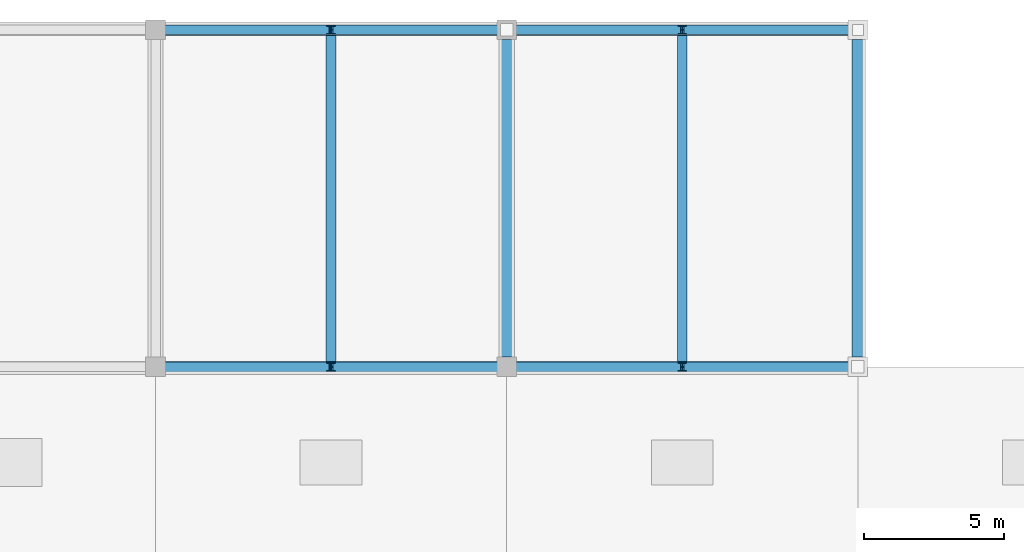
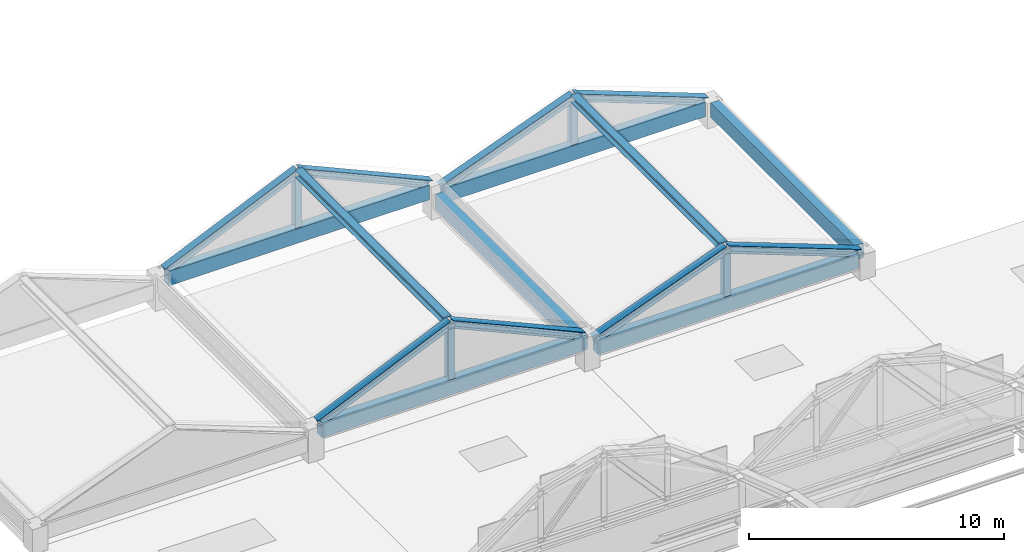
# One storey, part 82 of 117: 14 members, 6 beams.
"""IFC4 building model written with IfcOpenShell, lengths in metres."""

from ifc_helpers import new_model, si_unit, direction, frame, origin, origin_2d, place, context, subcontext, project, spatial, rectangle, i_section, extrude, material, material_profile, profile_set, type_object, element, save


model = new_model("IFC4")

# Units and contexts
model_context = context("Model", 3, precision=1e-05, world=origin(), true_north=direction((0.0, 1.0)))
body_context = subcontext(model_context, "Body", "Model", "MODEL_VIEW")
ifc_project = project(units=[si_unit("LENGTHUNIT", "METRE"), si_unit("AREAUNIT", "SQUARE_METRE"), si_unit("VOLUMEUNIT", "CUBIC_METRE"), si_unit("PLANEANGLEUNIT", "RADIAN"), si_unit("MASSUNIT", "GRAM", prefix="KILO")], contexts=[model_context])

# Site, building, storey
site_placement = place(None, origin())
site = spatial("IfcSite", under=ifc_project, at=site_placement, CompositionType="ELEMENT")
building_placement = place(site_placement, origin())
building = spatial("IfcBuilding", under=site, at=building_placement, Name="Kazenohara Klinker Stadium", CompositionType="ELEMENT")
storey_placement = place(building_placement, frame((0.0, 0.0, 31.199951171875)))
storey = spatial("IfcBuildingStorey", under=building, at=storey_placement, Name="RF", CompositionType="ELEMENT", Elevation=31.199951171875)

# Beams
ifc_material_1 = material(Name="Concrete C40/50", Category="concrete")
ifc_material_profile_1 = material_profile(ifc_material_1, rectangle(XDim=0.39990234375, YDim=0.699951171875, at=origin_2d()), Name="RC-BM-400x700")
ifc_profile_set_1 = profile_set([ifc_material_profile_1], Name="Concrete C40/50")
beam_type = type_object("IfcBeamType", Name="BM-RC04", PredefinedType="BEAM", material=ifc_profile_set_1)
for number, where, z_axis, x_axis, name in (
    (1, (61.85009765625, 156.0, 1.25), (1.0, 0.0, 0.0), (0.0, 1.0, 0.0), "Turret crown eave girder BG04 RF X5-13"),
    (2, (61.85009765625, 168.0, 1.25), (1.0, 0.0, 0.0), (0.0, 1.0, 0.0), "Turret crown eave girder BG04 RF X5-14"),
):
    element("IfcBeam", number, at=place(storey_placement, frame(where, z_axis=z_axis, x_axis=x_axis)), inside=storey, type_object=beam_type, Name=name, PredefinedType="BEAM", context=body_context, shape_type="SweptSolid", body=[
        extrude(rectangle(XDim=0.39990234375, YDim=0.699951171875, at=origin_2d()), origin(), (0.0, 0.0, 1.0), 11.7998046875),
    ])
beam_1_placement = place(storey_placement, frame((74.0, 156.35009765625, 0.85009765625), z_axis=(0.0, 1.0, 0.0), x_axis=(-1.0, 0.0, 0.0)))
element("IfcBeam", 3, at=beam_1_placement, inside=storey, type_object=beam_type, Name="Turret crown eave girder BG04 RF Y6-13", PredefinedType="BEAM", context=body_context, shape_type="SweptSolid", body=[
    extrude(rectangle(XDim=0.39990234375, YDim=0.699951171875, at=origin_2d()), origin(), (0.0, 0.0, 1.0), 11.2998046875),
])
for number, where, z_axis, x_axis, name in (
    (4, (74.35009765625, 156.0, 0.85009765625), (1.0, 0.0, 0.0), (0.0, 1.0, 0.0), "Turret crown eave girder BG04 RF X6-13"),
    (5, (74.35009765625, 168.0, 0.85009765625), (1.0, 0.0, 0.0), (0.0, 1.0, 0.0), "Turret crown eave girder BG04 RF X6-14"),
):
    element("IfcBeam", number, at=place(storey_placement, frame(where, z_axis=z_axis, x_axis=x_axis)), inside=storey, type_object=beam_type, Name=name, PredefinedType="BEAM", context=body_context, shape_type="SweptSolid", body=[
        extrude(rectangle(XDim=0.39990234375, YDim=0.699951171875, at=origin_2d()), origin(), (0.0, 0.0, 1.0), 11.7998046875),
    ])
beam_2_placement = place(storey_placement, frame((86.5, 156.35009765625, 0.85009765625), z_axis=(0.0, 1.0, 0.0), x_axis=(-1.0, 0.0, 0.0)))
element("IfcBeam", 6, at=beam_2_placement, inside=storey, type_object=beam_type, Name="Turret crown eave girder BG04 RF Y7-13", PredefinedType="BEAM", context=body_context, shape_type="SweptSolid", body=[
    extrude(rectangle(XDim=0.39990234375, YDim=0.699951171875, at=origin_2d()), origin(), (0.0, 0.0, 1.0), 11.2998046875),
])

# Members
ifc_material_2 = material(Name="Steel S355", Category="steel")
ifc_material_profile_2 = material_profile(ifc_material_2, i_section(OverallWidth=0.35009765625, OverallDepth=0.35009765625, WebThickness=0.011962890625, FlangeThickness=0.01904296875, FilletRadius=0.012939453125, at=origin_2d()), Name="H-350x350x12x19")
ifc_profile_set_2 = profile_set([ifc_material_profile_2], Name="Steel S355")
member_type_1 = type_object("IfcMemberType", Name="MEM-CHD02", PredefinedType="CHORD", material=ifc_profile_set_2)
for number, where, z_axis, x_axis, name in (
    (7, (61.75, 156.0, 1.580078125), (0.913627493157, 0.0, 0.406552338264), (0.0, 1.0, 0.0), "Crown gable rafter NBST-05 S West"),
    (8, (73.75, 156.0, 1.580078125), (-0.913627493157, 0.0, 0.406552338264), (0.0, -1.0, 0.0), "Crown gable rafter NBST-05 S East"),
    (9, (61.75, 168.0, 1.580078125), (0.913627493157, 0.0, 0.406552338264), (0.0, 1.0, 0.0), "Crown gable rafter NBST-05 N West"),
    (10, (73.75, 168.0, 1.580078125), (-0.913627493157, 0.0, 0.406552338264), (0.0, -1.0, 0.0), "Crown gable rafter NBST-05 N East"),
):
    element("IfcMember", number, at=place(storey_placement, frame(where, z_axis=z_axis, x_axis=x_axis)), inside=storey, type_object=member_type_1, Name=name, PredefinedType="CHORD", context=body_context, shape_type="SweptSolid", body=[
        extrude(i_section(OverallWidth=0.35009765625, OverallDepth=0.35009765625, WebThickness=0.011962890625, FlangeThickness=0.01904296875, FilletRadius=0.012939453125, at=origin_2d()), origin(), (0.0, 0.0, 1.0), 6.567138671875),
    ])
member_1_placement = place(storey_placement, frame((67.75, 156.14990234375, 4.25), z_axis=(0.0, 1.0, 0.0), x_axis=(-1.0, 0.0, 0.0)))
element("IfcMember", 11, at=member_1_placement, inside=storey, type_object=member_type_1, Name="Crown ridge beam NBST-05", PredefinedType="CHORD", context=body_context, shape_type="SweptSolid", body=[
    extrude(i_section(OverallWidth=0.35009765625, OverallDepth=0.35009765625, WebThickness=0.011962890625, FlangeThickness=0.01904296875, FilletRadius=0.012939453125, at=origin_2d()), origin(), (0.0, 0.0, 1.0), 11.7001953125),
])
for number, where, z_axis, x_axis, name in (
    (12, (74.25, 156.0, 1.179931640625), (0.935299193923, 0.0, 0.353857906295), (0.0, 1.0, 0.0), "Crown gable rafter NBST-06 S West"),
    (13, (86.25, 156.0, 1.179931640625), (-0.935299193923, 0.0, 0.353857906295), (0.0, -1.0, 0.0), "Crown gable rafter NBST-06 S East"),
    (14, (74.25, 168.0, 1.179931640625), (0.935299193923, 0.0, 0.353857906295), (0.0, 1.0, 0.0), "Crown gable rafter NBST-06 N West"),
    (15, (86.25, 168.0, 1.179931640625), (-0.935299193923, 0.0, 0.353857906295), (0.0, -1.0, 0.0), "Crown gable rafter NBST-06 N East"),
):
    element("IfcMember", number, at=place(storey_placement, frame(where, z_axis=z_axis, x_axis=x_axis)), inside=storey, type_object=member_type_1, Name=name, PredefinedType="CHORD", context=body_context, shape_type="SweptSolid", body=[
        extrude(i_section(OverallWidth=0.35009765625, OverallDepth=0.35009765625, WebThickness=0.011962890625, FlangeThickness=0.01904296875, FilletRadius=0.012939453125, at=origin_2d()), origin(), (0.0, 0.0, 1.0), 6.4150390625),
    ])
member_2_placement = place(storey_placement, frame((80.25, 156.14990234375, 3.449951171875), z_axis=(0.0, 1.0, 0.0), x_axis=(-1.0, 0.0, 0.0)))
element("IfcMember", 16, at=member_2_placement, inside=storey, type_object=member_type_1, Name="Crown ridge beam NBST-06", PredefinedType="CHORD", context=body_context, shape_type="SweptSolid", body=[
    extrude(i_section(OverallWidth=0.35009765625, OverallDepth=0.35009765625, WebThickness=0.011962890625, FlangeThickness=0.01904296875, FilletRadius=0.012939453125, at=origin_2d()), origin(), (0.0, 0.0, 1.0), 11.7001953125),
])
ifc_material_profile_3 = material_profile(ifc_material_2, i_section(OverallWidth=0.300048828125, OverallDepth=0.300048828125, WebThickness=0.010009765625, FlangeThickness=0.014892578125, FilletRadius=0.012939453125, at=origin_2d()), Name="H-300x300x10x15")
ifc_profile_set_3 = profile_set([ifc_material_profile_3], Name="Steel S355")
member_type_2 = type_object("IfcMemberType", Name="MEM-STR01", PredefinedType="STRUT", material=ifc_profile_set_3)
for number, where, z_axis, x_axis, name in (
    (17, (67.75, 156.0, 1.580078125), (0.0, 0.0, 1.0), (1.0, 0.0, 0.0), "Crown gable king-post NBST-05 S"),
    (18, (67.75, 168.0, 1.580078125), (0.0, 0.0, 1.0), (1.0, 0.0, 0.0), "Crown gable king-post NBST-05 N"),
):
    element("IfcMember", number, at=place(storey_placement, frame(where, z_axis=z_axis, x_axis=x_axis)), inside=storey, type_object=member_type_2, Name=name, PredefinedType="STRUT", context=body_context, shape_type="SweptSolid", body=[
        extrude(i_section(OverallWidth=0.300048828125, OverallDepth=0.300048828125, WebThickness=0.010009765625, FlangeThickness=0.014892578125, FilletRadius=0.012939453125, at=origin_2d()), origin(), (0.0, 0.0, 1.0), 2.669921875),
    ])
for number, where, z_axis, x_axis, name in (
    (19, (80.25, 156.0, 1.179931640625), (0.0, 0.0, 1.0), (1.0, 0.0, 0.0), "Crown gable king-post NBST-06 S"),
    (20, (80.25, 168.0, 1.179931640625), (0.0, 0.0, 1.0), (1.0, 0.0, 0.0), "Crown gable king-post NBST-06 N"),
):
    element("IfcMember", number, at=place(storey_placement, frame(where, z_axis=z_axis, x_axis=x_axis)), inside=storey, type_object=member_type_2, Name=name, PredefinedType="STRUT", context=body_context, shape_type="SweptSolid", body=[
        extrude(i_section(OverallWidth=0.300048828125, OverallDepth=0.300048828125, WebThickness=0.010009765625, FlangeThickness=0.014892578125, FilletRadius=0.012939453125, at=origin_2d()), origin(), (0.0, 0.0, 1.0), 2.27001953125),
    ])

save(model, "model.ifc")
